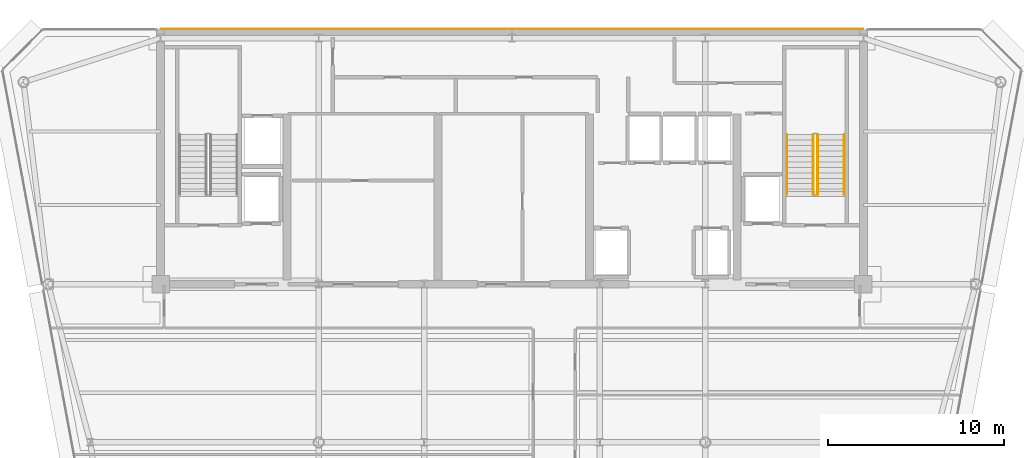
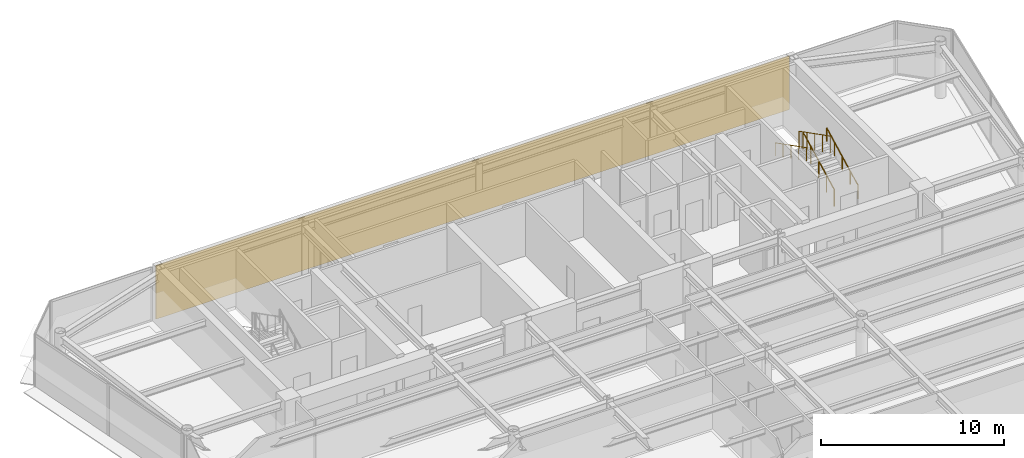
# One storey, part 17 of 18: 4 railings, 1 covering.
"""IFC4 building model written with IfcOpenShell, lengths in metres."""

from ifc_helpers import new_model, si_unit, direction, frame, origin, origin_2d, place, context, subcontext, project, spatial, polyline, circle, outline, extrude, material, layer, layer_set, type_object, element, save


model = new_model("IFC4")

# Units and contexts
model_context = context("Model", 3, precision=1e-05, world=origin(), true_north=direction((0.0, 1.0)))
body_context = subcontext(model_context, "Body", "Model", "MODEL_VIEW")
ifc_project = project(units=[si_unit("LENGTHUNIT", "METRE"), si_unit("AREAUNIT", "SQUARE_METRE"), si_unit("VOLUMEUNIT", "CUBIC_METRE"), si_unit("PLANEANGLEUNIT", "RADIAN"), si_unit("MASSUNIT", "GRAM", prefix="KILO")], contexts=[model_context])

# Site, building, storey
site_placement = place(None, origin())
site = spatial("IfcSite", under=ifc_project, at=site_placement, CompositionType="ELEMENT")
building_placement = place(site_placement, origin())
building = spatial("IfcBuilding", under=site, at=building_placement, Name="Vaeldorn Concourse Tower", CompositionType="ELEMENT")
storey_placement = place(building_placement, frame((0.0, 0.0, 246.0)))
storey = spatial("IfcBuildingStorey", under=building, at=storey_placement, Name="L63", CompositionType="ELEMENT", Elevation=246.0)

# Covering
ifc_material = material(Name="Anodised Bronze Aluminium", Category="aluminium")
ifc_layer = layer(ifc_material, 0.050048828125)
ifc_layer_set = layer_set([ifc_layer], Name="Anodised Bronze Aluminium")
covering_type = type_object("IfcCoveringType", Name="COV-CLAD-BRONZE", PredefinedType="CLADDING", material=ifc_layer_set)
covering_placement = place(storey_placement, origin())
element("IfcCovering", 1, at=covering_placement, inside=storey, type_object=covering_type, Name="Rear Core Bronze Spandrel Cladding L63", PredefinedType="CLADDING", context=body_context, shape_type="SweptSolid", body=[
    extrude(outline(polyline([(14.0, 51.0), (54.0, 51.0), (54.0, 51.050048828125), (14.0, 51.050048828125), (14.0, 51.0)])), origin(), (0.0, 0.0, 1.0), 3.580078125),
])

# Railings
railing_type_1 = type_object("IfcRailingType", Name="RL-STAIR-GUARD", PredefinedType="GUARDRAIL", material=ifc_material)
railing_1_placement = place(storey_placement, frame((51.39990234375, 41.60009765625, 0.158447265625)))
element("IfcRailing", 2, at=railing_1_placement, inside=storey, type_object=railing_type_1, Name="L63 ST-2 stair guard 1", PredefinedType="GUARDRAIL", context=body_context, shape_type="SweptSolid", body=[
    extrude(circle(Radius=0.02392578125, at=origin_2d()), frame((0.0, 0.0, 1.1259765625), z_axis=(0.0, 0.890581635807, 0.454823427236), x_axis=(-1.0, 0.0, 0.0)), (0.0, 0.0, 1.0), 3.828857421875),
    extrude(circle(Radius=0.02099609375, at=origin_2d()), origin(), (0.0, 0.0, 1.0), 1.101806640625),
    extrude(circle(Radius=0.02099609375, at=origin_2d()), frame((0.0, 0.8525390625, 0.435302734375)), (0.0, 0.0, 1.0), 1.101806640625),
    extrude(circle(Radius=0.02099609375, at=origin_2d()), frame((0.0, 1.705078125, 0.87060546875)), (0.0, 0.0, 1.0), 1.101806640625),
    extrude(circle(Radius=0.02099609375, at=origin_2d()), frame((0.0, 2.557373046875, 1.30615234375)), (0.0, 0.0, 1.0), 1.101806640625),
    extrude(circle(Radius=0.02099609375, at=origin_2d()), frame((0.0, 3.409912109375, 1.741455078125)), (0.0, 0.0, 1.0), 1.101806640625),
])
railing_2_placement = place(storey_placement, frame((51.14990234375, 45.010009765625, 2.058349609375)))
element("IfcRailing", 3, at=railing_2_placement, inside=storey, type_object=railing_type_1, Name="L63 ST-2 stair guard 3", PredefinedType="GUARDRAIL", context=body_context, shape_type="SweptSolid", body=[
    extrude(circle(Radius=0.02392578125, at=origin_2d()), frame((0.0, 0.0, 1.1259765625), z_axis=(0.0, -0.890555807335, 0.454873997962), x_axis=(1.0, 0.0, 0.0)), (0.0, 0.0, 1.0), 3.828857421875),
    extrude(circle(Radius=0.02099609375, at=origin_2d()), origin(), (0.0, 0.0, 1.0), 1.101806640625),
    extrude(circle(Radius=0.02099609375, at=origin_2d()), frame((0.0, -0.8525390625, 0.435546875)), (0.0, 0.0, 1.0), 1.101806640625),
    extrude(circle(Radius=0.02099609375, at=origin_2d()), frame((0.0, -1.705078125, 0.870849609375)), (0.0, 0.0, 1.0), 1.101806640625),
    extrude(circle(Radius=0.02099609375, at=origin_2d()), frame((0.0, -2.557373046875, 1.30615234375)), (0.0, 0.0, 1.0), 1.101806640625),
    extrude(circle(Radius=0.02099609375, at=origin_2d()), frame((0.0, -3.409912109375, 1.74169921875)), (0.0, 0.0, 1.0), 1.101806640625),
])
railing_type_2 = type_object("IfcRailingType", Name="RL-STAIR-HANDRAIL", PredefinedType="HANDRAIL", material=ifc_material)
railing_3_placement = place(storey_placement, frame((52.89990234375, 41.60009765625, 0.158447265625)))
element("IfcRailing", 4, at=railing_3_placement, inside=storey, type_object=railing_type_2, Name="L63 ST-2 stair handrail 1", PredefinedType="HANDRAIL", context=body_context, shape_type="SweptSolid", body=[
    extrude(circle(Radius=0.02392578125, at=origin_2d()), frame((0.0, 0.0, 0.8759765625), z_axis=(0.0, 0.890581635807, 0.454823427236), x_axis=(-1.0, 0.0, 0.0)), (0.0, 0.0, 1.0), 3.828857421875),
    extrude(circle(Radius=0.02099609375, at=origin_2d()), origin(), (0.0, 0.0, 1.0), 0.851806640625),
    extrude(circle(Radius=0.02099609375, at=origin_2d()), frame((0.0, 0.8525390625, 0.435302734375)), (0.0, 0.0, 1.0), 0.851806640625),
    extrude(circle(Radius=0.02099609375, at=origin_2d()), frame((0.0, 1.705078125, 0.87060546875)), (0.0, 0.0, 1.0), 0.851806640625),
    extrude(circle(Radius=0.02099609375, at=origin_2d()), frame((0.0, 2.557373046875, 1.30615234375)), (0.0, 0.0, 1.0), 0.851806640625),
    extrude(circle(Radius=0.02099609375, at=origin_2d()), frame((0.0, 3.409912109375, 1.741455078125)), (0.0, 0.0, 1.0), 0.851806640625),
])
railing_4_placement = place(storey_placement, frame((49.64990234375, 45.010009765625, 2.058349609375)))
element("IfcRailing", 5, at=railing_4_placement, inside=storey, type_object=railing_type_2, Name="L63 ST-2 stair handrail 2", PredefinedType="HANDRAIL", context=body_context, shape_type="SweptSolid", body=[
    extrude(circle(Radius=0.02392578125, at=origin_2d()), frame((0.0, 0.0, 0.8759765625), z_axis=(0.0, -0.890555807335, 0.454873997962), x_axis=(1.0, 0.0, 0.0)), (0.0, 0.0, 1.0), 3.828857421875),
    extrude(circle(Radius=0.02099609375, at=origin_2d()), origin(), (0.0, 0.0, 1.0), 0.851806640625),
    extrude(circle(Radius=0.02099609375, at=origin_2d()), frame((0.0, -0.8525390625, 0.435546875)), (0.0, 0.0, 1.0), 0.851806640625),
    extrude(circle(Radius=0.02099609375, at=origin_2d()), frame((0.0, -1.705078125, 0.870849609375)), (0.0, 0.0, 1.0), 0.851806640625),
    extrude(circle(Radius=0.02099609375, at=origin_2d()), frame((0.0, -2.557373046875, 1.30615234375)), (0.0, 0.0, 1.0), 0.851806640625),
    extrude(circle(Radius=0.02099609375, at=origin_2d()), frame((0.0, -3.409912109375, 1.74169921875)), (0.0, 0.0, 1.0), 0.851806640625),
])

save(model, "model.ifc")
